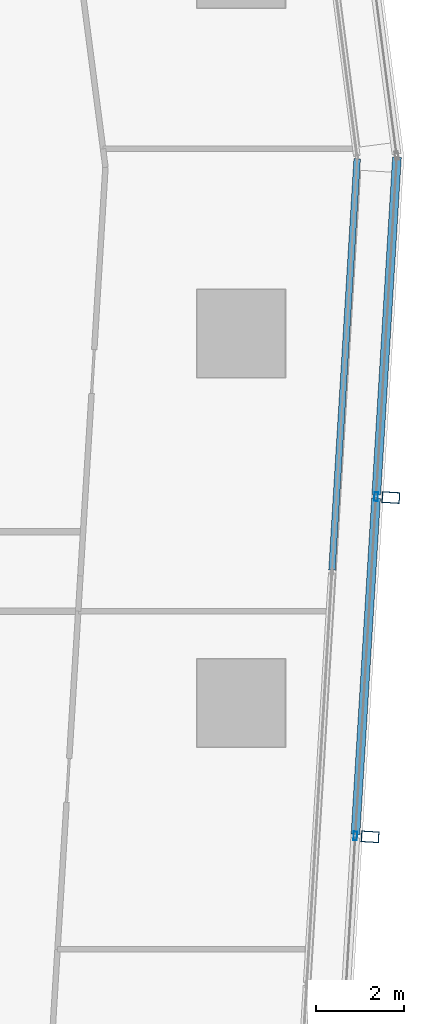
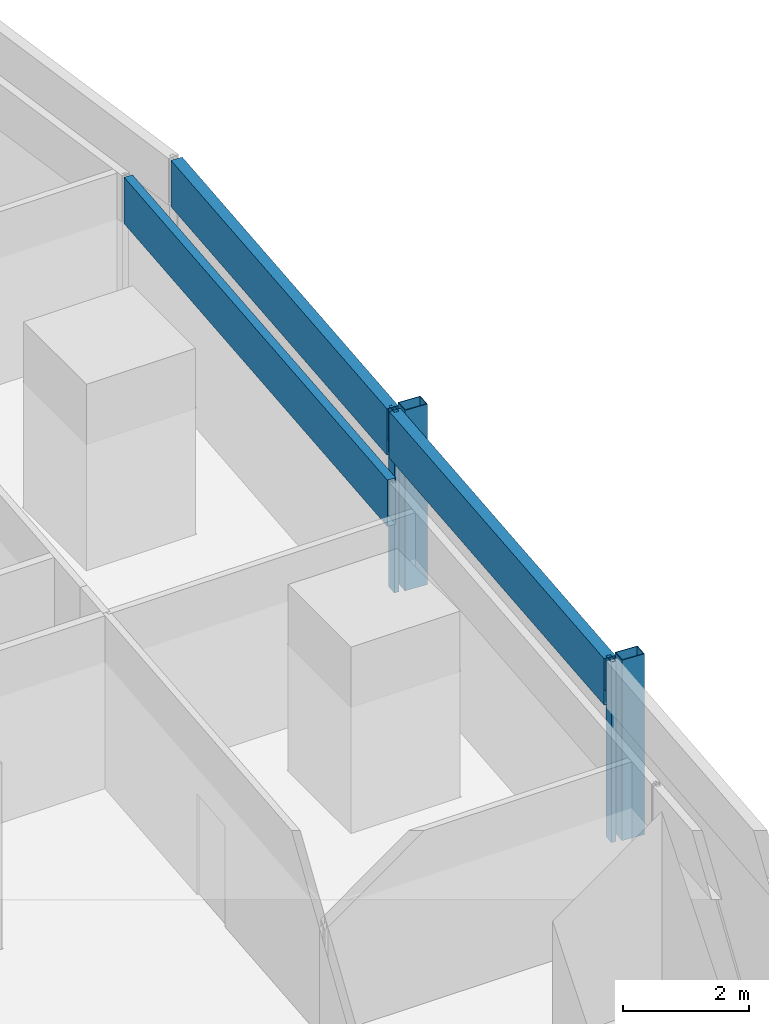
# One storey, part 22 of 36: 7 members, 2 elements without a shape of their own.
"""IFC4 building model written with IfcOpenShell, lengths in metres."""

from ifc_helpers import new_model, si_unit, direction, frame, origin, origin_2d, place, context, subcontext, project, spatial, hollow_rectangle, extrude, material, material_profile, profile_set, type_object, element, aggregate, save


model = new_model("IFC4")

# Units and contexts
model_context = context("Model", 3, precision=1e-05, world=origin(), true_north=direction((0.0, 1.0)))
body_context = subcontext(model_context, "Body", "Model", "MODEL_VIEW")
ifc_project = project(units=[si_unit("LENGTHUNIT", "METRE"), si_unit("AREAUNIT", "SQUARE_METRE"), si_unit("VOLUMEUNIT", "CUBIC_METRE"), si_unit("PLANEANGLEUNIT", "RADIAN"), si_unit("MASSUNIT", "GRAM", prefix="KILO")], contexts=[model_context])

# Site, building, storey
site_placement = place(None, origin())
site = spatial("IfcSite", under=ifc_project, at=site_placement, CompositionType="ELEMENT")
building_placement = place(site_placement, origin())
building = spatial("IfcBuilding", under=site, at=building_placement, Name="Rekha Terrace Tower", CompositionType="ELEMENT")
storey_placement = place(building_placement, frame((0.0, 0.0, 144.050048828125)))
storey = spatial("IfcBuildingStorey", under=building, at=storey_placement, Name="L36", CompositionType="ELEMENT", Elevation=144.050048828125)

# Curtain wall, members
ifc_material_1 = material(Name="Aluminium framing", Category="aluminium")
curtain_wall_type_1 = type_object("IfcCurtainWallType", Name="CW2 double skin outer glazing", PredefinedType="USERDEFINED", material=ifc_material_1)
curtain_wall_1_placement = place(storey_placement, origin())
curtain_wall_1 = element("IfcCurtainWall", 1, at=curtain_wall_1_placement, inside=storey, type_object=curtain_wall_type_1, Name="CW2 double skin outer glazing", ObjectType="DOUBLE SKIN OUTER GLAZING", PredefinedType="USERDEFINED")
ifc_material_2 = material(Name="Steel S355 with fluorocarbon finish", Category="steel")
ifc_material_profile_1 = material_profile(ifc_material_2, hollow_rectangle(XDim=0.25, YDim=0.39990234375, WallThickness=0.012451171875, at=origin_2d()), Name="RHS400x250x12.5")
ifc_profile_set_1 = profile_set([ifc_material_profile_1], Name="Steel S355 with fluorocarbon finish")
member_type_1 = type_object("IfcMemberType", Name="BL1 facade blade RHS 400 x 250", PredefinedType="USERDEFINED", material=ifc_profile_set_1)
member_1_placement = place(storey_placement, frame((70.128662109375, 30.557861328125, 0.0), z_axis=(0.0, 0.0, 1.0), x_axis=(0.061160031881, 0.998127973008, 0.0)))
member_1 = element("IfcMember", 2, at=member_1_placement, type_object=member_type_1, Name="Facade blade", ObjectType="FACADE BLADE", PredefinedType="USERDEFINED", context=body_context, shape_type="SweptSolid", body=[
    extrude(hollow_rectangle(XDim=0.25, YDim=0.39990234375, WallThickness=0.012451171875, at=origin_2d()), origin(), (0.0, 0.0, 1.0), 3.5),
])
member_2_placement = place(storey_placement, frame((70.601318359375, 38.27001953125, 0.0), z_axis=(0.0, 0.0, 1.0), x_axis=(0.061160031881, 0.998127973008, 0.0)))
member_2 = element("IfcMember", 3, at=member_2_placement, type_object=member_type_1, Name="Facade blade", ObjectType="FACADE BLADE", PredefinedType="USERDEFINED", context=body_context, shape_type="SweptSolid", body=[
    extrude(hollow_rectangle(XDim=0.25, YDim=0.39990234375, WallThickness=0.012451171875, at=origin_2d()), origin(), (0.0, 0.0, 1.0), 3.5),
])

# Curtain wall, member
curtain_wall_type_2 = type_object("IfcCurtainWallType", Name="CW1 double skin inner glazing", PredefinedType="USERDEFINED", material=ifc_material_1)
curtain_wall_2_placement = place(storey_placement, origin())
curtain_wall_2 = element("IfcCurtainWall", 4, at=curtain_wall_2_placement, inside=storey, type_object=curtain_wall_type_2, Name="CW1 double skin inner glazing", ObjectType="DOUBLE SKIN INNER GLAZING", PredefinedType="USERDEFINED")
ifc_material_3 = material(Name="Insulated aluminium spandrel box", Category="aluminium")
ifc_material_profile_2 = material_profile(ifc_material_3, hollow_rectangle(XDim=0.14990234375, YDim=0.89990234375, WallThickness=0.0029296875, at=origin_2d()), Name="AL SPANDREL BOX 150x900")
ifc_profile_set_2 = profile_set([ifc_material_profile_2], Name="Insulated aluminium spandrel box")
member_type_2 = type_object("IfcMemberType", Name="CW1 spandrel transom 150 x 900", PredefinedType="USERDEFINED", material=ifc_profile_set_2)
member_3_placement = place(storey_placement, frame((69.262939453125, 36.6220703125, 3.050048828125), z_axis=(0.061145038118, 0.998128891634, 0.0), x_axis=(-0.998128891634, 0.061145038118, 0.0)))
member_3 = element("IfcMember", 5, at=member_3_placement, type_object=member_type_2, Name="CW1 spandrel transom 3", ObjectType="TRANSOM", PredefinedType="USERDEFINED", context=body_context, shape_type="SweptSolid", body=[
    extrude(hollow_rectangle(XDim=0.14990234375, YDim=0.89990234375, WallThickness=0.0029296875, at=origin_2d()), origin(), (0.0, 0.0, 1.0), 9.3671875),
])
aggregate(curtain_wall_2, [member_3])

# Member
ifc_material_4 = material(Name="Aluminium mullion section", Category="aluminium")
ifc_material_profile_3 = material_profile(ifc_material_4, hollow_rectangle(XDim=0.080078125, YDim=0.199951171875, WallThickness=0.00390625, at=origin_2d()), Name="AL RHS 80x200")
ifc_profile_set_3 = profile_set([ifc_material_profile_3], Name="Aluminium mullion section")
member_type_3 = type_object("IfcMemberType", Name="CW2 mullion RHS 80 x 200", PredefinedType="MULLION", material=ifc_profile_set_3)
member_4_placement = place(storey_placement, frame((69.794189453125, 30.578369140625, 0.0), z_axis=(0.0, 0.0, 1.0), x_axis=(-0.998127987024, 0.061159803131, 0.0)))
member_4 = element("IfcMember", 6, at=member_4_placement, type_object=member_type_3, Name="CW2 mullion 3", PredefinedType="MULLION", context=body_context, shape_type="SweptSolid", body=[
    extrude(hollow_rectangle(XDim=0.080078125, YDim=0.199951171875, WallThickness=0.00390625, at=origin_2d()), origin(), (0.0, 0.0, 1.0), 3.5),
])

member_5_placement = place(storey_placement, frame((70.266845703125, 38.29052734375, 0.0), z_axis=(0.0, 0.0, 1.0), x_axis=(-0.998127987024, 0.061159803131, 0.0)))
member_5 = element("IfcMember", 7, at=member_5_placement, type_object=member_type_3, Name="CW2 mullion 4", PredefinedType="MULLION", context=body_context, shape_type="SweptSolid", body=[
    extrude(hollow_rectangle(XDim=0.080078125, YDim=0.199951171875, WallThickness=0.00390625, at=origin_2d()), origin(), (0.0, 0.0, 1.0), 3.5),
])

ifc_material_profile_4 = material_profile(ifc_material_3, hollow_rectangle(XDim=0.199951171875, YDim=0.89990234375, WallThickness=0.0029296875, at=origin_2d()), Name="AL SPANDREL BOX 200x900")
ifc_profile_set_4 = profile_set([ifc_material_profile_4], Name="Insulated aluminium spandrel box")
member_type_4 = type_object("IfcMemberType", Name="CW2 spandrel transom 200 x 900", PredefinedType="USERDEFINED", material=ifc_profile_set_4)
member_6_placement = place(storey_placement, frame((69.796630859375, 30.618408203125, 3.050048828125), z_axis=(0.061175629852, 0.998127017124, 0.0), x_axis=(-0.998127017124, 0.061175629852, 0.0)))
member_6 = element("IfcMember", 8, at=member_6_placement, type_object=member_type_4, Name="CW2 spandrel transom 3", ObjectType="TRANSOM", PredefinedType="USERDEFINED", context=body_context, shape_type="SweptSolid", body=[
    extrude(hollow_rectangle(XDim=0.199951171875, YDim=0.89990234375, WallThickness=0.0029296875, at=origin_2d()), origin(), (0.0, 0.0, 1.0), 7.646484375),
])

member_7_placement = place(storey_placement, frame((70.269287109375, 38.330322265625, 3.050048828125), z_axis=(0.061142352683, 0.998129056139, 0.0), x_axis=(-0.998129056139, 0.061142352683, 0.0)))
member_7 = element("IfcMember", 9, at=member_7_placement, type_object=member_type_4, Name="CW2 spandrel transom 4", ObjectType="TRANSOM", PredefinedType="USERDEFINED", context=body_context, shape_type="SweptSolid", body=[
    extrude(hollow_rectangle(XDim=0.199951171875, YDim=0.89990234375, WallThickness=0.0029296875, at=origin_2d()), origin(), (0.0, 0.0, 1.0), 7.6865234375),
])

aggregate(curtain_wall_1, [member_4, member_5, member_6, member_7, member_1, member_2])

save(model, "model.ifc")
